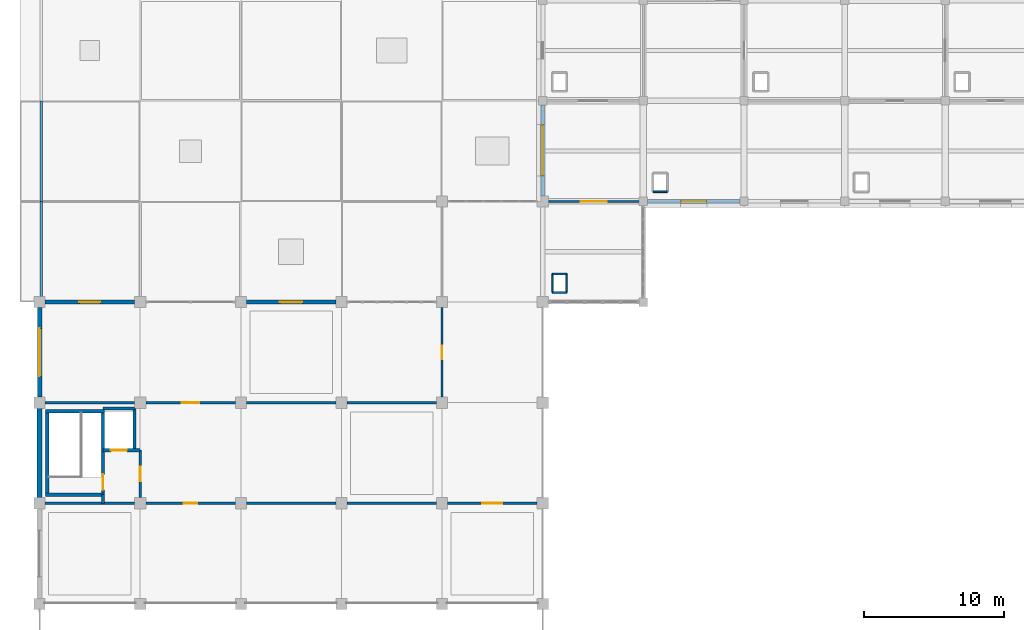
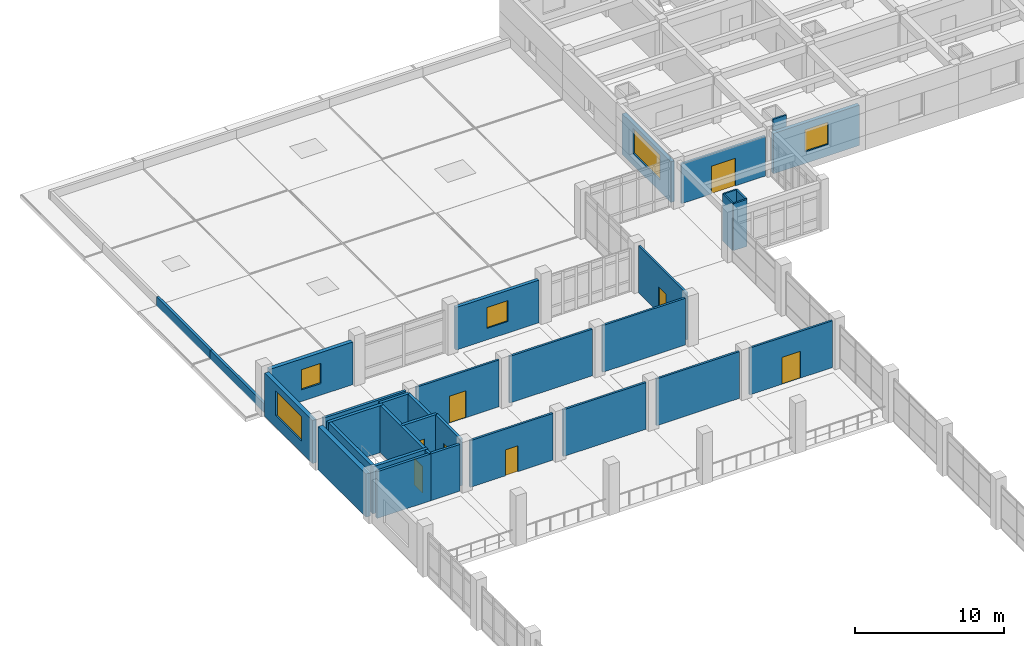
# One storey, part 51 of 62: 34 walls, 8 doors, 5 windows, 13 openings.
"""IFC4 building model written with IfcOpenShell, lengths in metres."""

from ifc_helpers import new_model, si_unit, direction, frame, frame_2d, origin, place, context, subcontext, project, spatial, rectangle, extrude, material, layer, layer_set, type_object, element, fill, save


model = new_model("IFC4")

# Units and contexts
model_context = context("Model", 3, precision=1e-05, world=origin(), true_north=direction((0.0, 1.0)))
body_context = subcontext(model_context, "Body", "Model", "MODEL_VIEW")
ifc_project = project(units=[si_unit("LENGTHUNIT", "METRE"), si_unit("AREAUNIT", "SQUARE_METRE"), si_unit("VOLUMEUNIT", "CUBIC_METRE"), si_unit("PLANEANGLEUNIT", "RADIAN"), si_unit("MASSUNIT", "GRAM", prefix="KILO")], contexts=[model_context])

# Site, building, storey
site_placement = place(None, origin())
site = spatial("IfcSite", under=ifc_project, at=site_placement, CompositionType="ELEMENT")
building_placement = place(site_placement, origin())
building = spatial("IfcBuilding", under=site, at=building_placement, Name="Kavelor Marine Aquarium", CompositionType="ELEMENT")
storey_placement = place(building_placement, frame((0.0, 0.0, 13.5)))
storey = spatial("IfcBuildingStorey", under=building, at=storey_placement, Name="L03", CompositionType="ELEMENT", Elevation=13.5)

# Wall
ifc_material_1 = material(Name="Concrete C45/55", Category="concrete")
ifc_layer_1 = layer(ifc_material_1, 0.360107421875)
ifc_layer_set_1 = layer_set([ifc_layer_1], Name="WL-EX1")
wall_type_1 = type_object("IfcWallType", Name="WL-EX1", PredefinedType="STANDARD", material=ifc_layer_set_1)
wall_1_placement = place(storey_placement, frame((3.199951171875, 67.9951171875, 0.0), z_axis=(0.0, 0.0, 1.0), x_axis=(0.0, 1.0, 0.0)))
element("IfcWall", 1, at=wall_1_placement, inside=storey, type_object=wall_type_1, Name="ew:y:L03:00_09", PredefinedType="STANDARD", context=body_context, shape_type="SweptSolid", body=[
    extrude(rectangle(XDim=6.409912109375, YDim=0.360107421875, at=frame_2d((3.205078125, 0.0))), origin(), (0.0, 0.0, 1.0), 3.530029296875),
])

# Wall, opening, window
ifc_material_2 = material(Name="Concrete C45/55", Category="concrete")
ifc_layer_2 = layer(ifc_material_2, 0.320068359375)
ifc_layer_set_2 = layer_set([ifc_layer_2], Name="WL-EX2")
wall_type_2 = type_object("IfcWallType", Name="WL-EX2", PredefinedType="STANDARD", material=ifc_layer_set_2)
wall_2_placement = place(storey_placement, frame((3.199951171875, 75.195068359375, 0.0), z_axis=(0.0, 0.0, 1.0), x_axis=(0.0, 1.0, 0.0)))
wall_2 = element("IfcWall", 2, at=wall_2_placement, inside=storey, type_object=wall_type_2, Name="ew:y:L03:00_10", PredefinedType="STANDARD", context=body_context, shape_type="SweptSolid", body=[
    extrude(rectangle(XDim=6.409912109375, YDim=0.320068359375, at=frame_2d((3.205078125, 0.0))), origin(), (0.0, 0.0, 1.0), 3.530029296875),
])
opening_1_placement = place(wall_2_placement, frame((1.47998046875, 0.0, 0.949951171875)))
opening_1 = element("IfcOpeningElement", 3, at=opening_1_placement, cuts=wall_2, Name="Opening W23", PredefinedType="OPENING", context=body_context, shape_type="SweptSolid", body=[
    extrude(rectangle(XDim=3.449951171875, YDim=2.0, at=frame_2d((1.72509765625, 1.0))), frame((0.0, 0.169921875, 0.0), z_axis=(0.0, -1.0, 0.0), x_axis=(1.0, 0.0, 0.0)), (0.0, 0.0, 1.0), 0.340068),
])
ifc_material_3 = material(Name="Anodised Aluminium Frame with Low-E Double Glazing", Category="aluminium")
window_type_1 = type_object("IfcWindowType", Name="WIN-W23", PartitioningType="DOUBLE_PANEL_VERTICAL", PredefinedType="WINDOW", material=ifc_material_3)
window_1_placement = place(opening_1_placement, origin())
window_1 = element("IfcWindow", 4, at=window_1_placement, inside=storey, type_object=window_type_1, Name="win:y:L03:00_10", OverallHeight=2.0, OverallWidth=3.449951171875, PartitioningType="SINGLE_PANEL", PredefinedType="WINDOW", context=body_context, shape_type="SweptSolid", body=[
    extrude(rectangle(XDim=3.449951171875, YDim=2.0, at=frame_2d((1.72509765625, 1.0))), frame((0.0, 0.030029296875, 0.0), z_axis=(0.0, -1.0, 0.0), x_axis=(1.0, 0.0, 0.0)), (0.0, 0.0, 1.0), 0.06005859375),
])
fill(opening_1, window_1)

ifc_material_4 = material(Name="Concrete C40/50", Category="concrete")
ifc_layer_3 = layer(ifc_material_4, 0.300048828125)
ifc_layer_set_3 = layer_set([ifc_layer_3], Name="WL-EX3")
wall_type_3 = type_object("IfcWallType", Name="WL-EX3", PredefinedType="STANDARD", material=ifc_layer_set_3)
wall_3_placement = place(storey_placement, frame((3.594970703125, 82.0, 0.0), z_axis=(0.0, 0.0, 1.0), x_axis=(1.0, 0.0, 0.0)))
wall_3 = element("IfcWall", 5, at=wall_3_placement, inside=storey, type_object=wall_type_3, Name="ew:x:L03:00_11", PredefinedType="STANDARD", context=body_context, shape_type="SweptSolid", body=[
    extrude(rectangle(XDim=6.409912109375, YDim=0.300048828125, at=frame_2d((3.205078125, 0.0))), origin(), (0.0, 0.0, 1.0), 3.47998046875),
])
opening_2_placement = place(wall_3_placement, frame((2.455078125, 0.0, 0.949951171875)))
opening_2 = element("IfcOpeningElement", 6, at=opening_2_placement, cuts=wall_3, Name="Opening W05", PredefinedType="OPENING", context=body_context, shape_type="SweptSolid", body=[
    extrude(rectangle(XDim=1.5, YDim=1.64990234375, at=frame_2d((0.75, 0.824951171875))), frame((0.0, 0.159912109375, 0.0), z_axis=(0.0, -1.0, 0.0), x_axis=(1.0, 0.0, 0.0)), (0.0, 0.0, 1.0), 0.320049),
])
ifc_material_5 = material(Name="Anodised Aluminium Frame with Low-E Double Glazing", Category="aluminium")
window_type_2 = type_object("IfcWindowType", Name="WIN-W05", PartitioningType="SINGLE_PANEL", PredefinedType="WINDOW", material=ifc_material_5)
window_2_placement = place(opening_2_placement, origin())
window_2 = element("IfcWindow", 7, at=window_2_placement, inside=storey, type_object=window_type_2, Name="win:x:L03:00_11", OverallHeight=1.64990234375, OverallWidth=1.5, PartitioningType="SINGLE_PANEL", PredefinedType="WINDOW", context=body_context, shape_type="SweptSolid", body=[
    extrude(rectangle(XDim=1.5, YDim=1.64990234375, at=frame_2d((0.75, 0.824951171875))), frame((0.0, 0.030029296875, 0.0), z_axis=(0.0, -1.0, 0.0), x_axis=(1.0, 0.0, 0.0)), (0.0, 0.0, 1.0), 0.06005859375),
])
fill(opening_2, window_2)

wall_4_placement = place(storey_placement, frame((39.199951171875, 89.594970703125, 0.0), z_axis=(0.0, 0.0, 1.0), x_axis=(0.0, 1.0, 0.0)))
wall_4 = element("IfcWall", 8, at=wall_4_placement, inside=storey, type_object=wall_type_3, Name="ew:y:L03:05_12", PredefinedType="STANDARD", context=body_context, shape_type="SweptSolid", body=[
    extrude(rectangle(XDim=6.510009765625, YDim=0.300048828125, at=frame_2d((3.2548828125, 0.0))), origin(), (0.0, 0.0, 1.0), 3.320068359375),
])
opening_3_placement = place(wall_4_placement, frame((1.455078125, 0.0, 0.949951171875)))
opening_3 = element("IfcOpeningElement", 9, at=opening_3_placement, cuts=wall_4, Name="Opening W24", PredefinedType="OPENING", context=body_context, shape_type="SweptSolid", body=[
    extrude(rectangle(XDim=3.60009765625, YDim=2.050048828125, at=frame_2d((1.800048828125, 1.02490234375))), frame((0.0, 0.159912109375, 0.0), z_axis=(0.0, -1.0, 0.0), x_axis=(1.0, 0.0, 0.0)), (0.0, 0.0, 1.0), 0.320049),
])
ifc_material_6 = material(Name="Anodised Aluminium Frame with Low-E Double Glazing", Category="aluminium")
window_type_3 = type_object("IfcWindowType", Name="WIN-W24", PartitioningType="DOUBLE_PANEL_VERTICAL", PredefinedType="WINDOW", material=ifc_material_6)
window_3_placement = place(opening_3_placement, origin())
window_3 = element("IfcWindow", 10, at=window_3_placement, inside=storey, type_object=window_type_3, Name="win:y:L03:05_12", OverallHeight=2.050048828125, OverallWidth=3.60009765625, PartitioningType="SINGLE_PANEL", PredefinedType="WINDOW", context=body_context, shape_type="SweptSolid", body=[
    extrude(rectangle(XDim=3.60009765625, YDim=2.050048828125, at=frame_2d((1.800048828125, 1.02490234375))), frame((0.0, 0.030029296875, 0.0), z_axis=(0.0, -1.0, 0.0), x_axis=(1.0, 0.0, 0.0)), (0.0, 0.0, 1.0), 0.06005859375),
])
fill(opening_3, window_3)

ifc_material_7 = material(Name="Concrete C40/50", Category="concrete")
ifc_layer_4 = layer(ifc_material_7, 0.280029296875)
ifc_layer_set_4 = layer_set([ifc_layer_4], Name="WL-EX4")
wall_type_4 = type_object("IfcWallType", Name="WL-EX4", PredefinedType="STANDARD", material=ifc_layer_set_4)
wall_5_placement = place(storey_placement, frame((53.304931640625, 89.199951171875, 0.0), z_axis=(0.0, 0.0, 1.0), x_axis=(-1.0, 0.0, 0.0)))
wall_5 = element("IfcWall", 11, at=wall_5_placement, inside=storey, type_object=wall_type_4, Name="ew:x:L03:06_12", PredefinedType="STANDARD", context=body_context, shape_type="SweptSolid", body=[
    extrude(rectangle(XDim=6.60986328125, YDim=0.280029296875, at=frame_2d((3.304931640625, 0.0))), origin(), (0.0, 0.0, 1.0), 3.300048828125),
])
opening_4_placement = place(wall_5_placement, frame((2.405029296875, 0.0, 0.949951171875)))
opening_4 = element("IfcOpeningElement", 12, at=opening_4_placement, cuts=wall_5, Name="Opening W08", PredefinedType="OPENING", context=body_context, shape_type="SweptSolid", body=[
    extrude(rectangle(XDim=1.800048828125, YDim=1.800048828125, at=frame_2d((0.89990234375, 0.89990234375))), frame((0.0, 0.14990234375, 0.0), z_axis=(0.0, -1.0, 0.0), x_axis=(1.0, 0.0, 0.0)), (0.0, 0.0, 1.0), 0.300029),
])
ifc_material_8 = material(Name="Anodised Aluminium Frame with Low-E Double Glazing", Category="aluminium")
window_type_4 = type_object("IfcWindowType", Name="WIN-W08", PartitioningType="DOUBLE_PANEL_VERTICAL", PredefinedType="WINDOW", material=ifc_material_8)
window_4_placement = place(opening_4_placement, origin())
window_4 = element("IfcWindow", 13, at=window_4_placement, inside=storey, type_object=window_type_4, Name="win:x:L03:06_12", OverallHeight=1.800048828125, OverallWidth=1.800048828125, PartitioningType="SINGLE_PANEL", PredefinedType="WINDOW", context=body_context, shape_type="SweptSolid", body=[
    extrude(rectangle(XDim=1.800048828125, YDim=1.800048828125, at=frame_2d((0.89990234375, 0.89990234375))), frame((0.0, 0.030029296875, 0.0), z_axis=(0.0, -1.0, 0.0), x_axis=(1.0, 0.0, 0.0)), (0.0, 0.0, 1.0), 0.06005859375),
])
fill(opening_4, window_4)

ifc_material_9 = material(Name="Concrete C40/50", Category="concrete")
ifc_layer_5 = layer(ifc_material_9, 0.260009765625)
ifc_layer_set_5 = layer_set([ifc_layer_5], Name="WL-EX5")
wall_type_5 = type_object("IfcWallType", Name="WL-EX5", PredefinedType="STANDARD", material=ifc_layer_set_5)
wall_6_placement = place(storey_placement, frame((17.9951171875, 82.0, 0.0), z_axis=(0.0, 0.0, 1.0), x_axis=(1.0, 0.0, 0.0)))
wall_6 = element("IfcWall", 14, at=wall_6_placement, inside=storey, type_object=wall_type_5, Name="ew:x:L03:02_11", PredefinedType="STANDARD", context=body_context, shape_type="SweptSolid", body=[
    extrude(rectangle(XDim=6.409912109375, YDim=0.260009765625, at=frame_2d((3.205078125, 0.0))), origin(), (0.0, 0.0, 1.0), 3.47998046875),
])
opening_5_placement = place(wall_6_placement, frame((2.405029296875, 0.0, 0.949951171875)))
opening_5 = element("IfcOpeningElement", 15, at=opening_5_placement, cuts=wall_6, Name="Opening W06", PredefinedType="OPENING", context=body_context, shape_type="SweptSolid", body=[
    extrude(rectangle(XDim=1.60009765625, YDim=1.699951171875, at=frame_2d((0.800048828125, 0.85009765625))), frame((0.0, 0.139892578125, 0.0), z_axis=(0.0, -1.0, 0.0), x_axis=(1.0, 0.0, 0.0)), (0.0, 0.0, 1.0), 0.28001),
])
ifc_material_10 = material(Name="Anodised Aluminium Frame with Low-E Double Glazing", Category="aluminium")
window_type_5 = type_object("IfcWindowType", Name="WIN-W06", PartitioningType="SINGLE_PANEL", PredefinedType="WINDOW", material=ifc_material_10)
window_5_placement = place(opening_5_placement, origin())
window_5 = element("IfcWindow", 16, at=window_5_placement, inside=storey, type_object=window_type_5, Name="win:x:L03:02_11", OverallHeight=1.699951171875, OverallWidth=1.60009765625, PartitioningType="SINGLE_PANEL", PredefinedType="WINDOW", context=body_context, shape_type="SweptSolid", body=[
    extrude(rectangle(XDim=1.60009765625, YDim=1.699951171875, at=frame_2d((0.800048828125, 0.85009765625))), frame((0.0, 0.030029296875, 0.0), z_axis=(0.0, -1.0, 0.0), x_axis=(1.0, 0.0, 0.0)), (0.0, 0.0, 1.0), 0.06005859375),
])
fill(opening_5, window_5)

# Walls
ifc_material_11 = material(Name="Concrete C40/50", Category="concrete")
ifc_layer_6 = layer(ifc_material_11, 0.199951171875)
ifc_layer_set_6 = layer_set([ifc_layer_6], Name="WL-PR3")
wall_type_6 = type_object("IfcWallType", Name="WL-PR3", PredefinedType="PARAPET", material=ifc_layer_set_6)
for number, where, z_axis, x_axis, name in (
    (17, (3.320068359375, 82.0, 0.0), (0.0, 0.0, 1.0), (0.0, 1.0, 0.0), "par:w:L03:00_11"),
    (18, (3.320068359375, 89.199951171875, 0.0), (0.0, 0.0, 1.0), (0.0, 1.0, 0.0), "par:w:L03:00_12"),
):
    element("IfcWall", number, at=place(storey_placement, frame(where, z_axis=z_axis, x_axis=x_axis)), inside=storey, type_object=wall_type_6, Name=name, PredefinedType="PARAPET", context=body_context, shape_type="SweptSolid", body=[
        extrude(rectangle(XDim=7.199951171875, YDim=0.199951171875, at=frame_2d((3.60009765625, 0.0))), origin(), (0.0, 0.0, 1.0), 0.719970703125),
    ])
ifc_material_12 = material(Name="Concrete Blockwork Partition", Category="masonry")
ifc_layer_7 = layer(ifc_material_12, 0.199951171875)
ifc_layer_set_7 = layer_set([ifc_layer_7], Name="WL-PT1")
wall_type_7 = type_object("IfcWallType", Name="WL-PT1", PredefinedType="PARTITIONING", material=ifc_layer_set_7)
wall_7_placement = place(storey_placement, frame((7.739990234375, 67.60009765625, 0.0), z_axis=(0.0, 0.0, 1.0), x_axis=(0.0, 1.0, 0.0)))
element("IfcWall", 19, at=wall_7_placement, inside=storey, type_object=wall_type_7, Name="pt:st_close:s:C03:L03", PredefinedType="PARTITIONING", context=body_context, shape_type="SweptSolid", body=[
    extrude(rectangle(XDim=0.619873046875, YDim=0.199951171875, at=frame_2d((0.31005859375, 0.0))), origin(), (0.0, 0.0, 1.0), 3.820068359375),
])

# Wall, opening, door
wall_8_placement = place(storey_placement, frame((10.39990234375, 68.0, 0.0), z_axis=(0.0, 0.0, 1.0), x_axis=(0.0, 1.0, 0.0)))
wall_8 = element("IfcWall", 20, at=wall_8_placement, inside=storey, type_object=wall_type_7, Name="pt:lob:C03:L03:e", PredefinedType="PARTITIONING", context=body_context, shape_type="SweptSolid", body=[
    extrude(rectangle(XDim=3.39990234375, YDim=0.199951171875, at=frame_2d((1.699951171875, 0.0))), origin(), (0.0, 0.0, 1.0), 3.820068359375),
])
opening_6_placement = place(wall_8_placement, frame((1.18994140625, 0.0, 0.0)))
opening_6 = element("IfcOpeningElement", 21, at=opening_6_placement, cuts=wall_8, Name="Opening SD1", PredefinedType="OPENING", context=body_context, shape_type="SweptSolid", body=[
    extrude(rectangle(XDim=1.02001953125, YDim=2.14990234375, at=frame_2d((0.510009765625, 1.074951171875))), frame((0.0, 0.10986328125, 0.0), z_axis=(0.0, -1.0, 0.0), x_axis=(1.0, 0.0, 0.0)), (0.0, 0.0, 1.0), 0.219951),
])
ifc_material_13 = material(Name="Fire-Rated Corridor Compartment Door")
door_type_1 = type_object("IfcDoorType", Name="DR-SD1", OperationType="NOTDEFINED", PredefinedType="DOOR", material=ifc_material_13)
door_1_placement = place(opening_6_placement, origin())
door_1 = element("IfcDoor", 22, at=door_1_placement, inside=storey, type_object=door_type_1, Name="Core Lobby Fire Door C03-L03", OperationType="SINGLE_SWING_RIGHT", OverallHeight=2.14990234375, OverallWidth=1.02001953125, PredefinedType="DOOR", context=body_context, shape_type="SweptSolid", body=[
    extrude(rectangle(XDim=1.02001953125, YDim=2.14990234375, at=frame_2d((0.510009765625, 1.074951171875))), frame((0.0, 0.02490234375, 0.0), z_axis=(0.0, -1.0, 0.0), x_axis=(1.0, 0.0, 0.0)), (0.0, 0.0, 1.0), 0.050048828125),
])
fill(opening_6, door_1)

# Walls
wall_9_placement = place(storey_placement, frame((3.60009765625, 67.60009765625, 0.0), z_axis=(0.0, 0.0, 1.0), x_axis=(1.0, 0.0, 0.0)))
element("IfcWall", 23, at=wall_9_placement, inside=storey, type_object=wall_type_7, Name="pt:lob:C03:L03:s_st", PredefinedType="PARTITIONING", context=body_context, shape_type="SweptSolid", body=[
    extrude(rectangle(XDim=4.139892578125, YDim=0.199951171875, at=frame_2d((2.06982421875, 0.0))), origin(), (0.0, 0.0, 1.0), 3.820068359375),
])
wall_10_placement = place(storey_placement, frame((7.739990234375, 67.60009765625, 0.0), z_axis=(0.0, 0.0, 1.0), x_axis=(1.0, 0.0, 0.0)))
element("IfcWall", 24, at=wall_10_placement, inside=storey, type_object=wall_type_7, Name="pt:lob:C03:L03:s", PredefinedType="PARTITIONING", context=body_context, shape_type="SweptSolid", body=[
    extrude(rectangle(XDim=2.260009765625, YDim=0.199951171875, at=frame_2d((1.1298828125, 0.0))), origin(), (0.0, 0.0, 1.0), 3.820068359375),
])
wall_11_placement = place(storey_placement, frame((3.60009765625, 74.800048828125, 0.0), z_axis=(0.0, 0.0, 1.0), x_axis=(1.0, 0.0, 0.0)))
element("IfcWall", 25, at=wall_11_placement, inside=storey, type_object=wall_type_7, Name="pt:lob:C03:L03:n_full", PredefinedType="PARTITIONING", context=body_context, shape_type="SweptSolid", body=[
    extrude(rectangle(XDim=6.39990234375, YDim=0.199951171875, at=frame_2d((3.199951171875, 0.0))), origin(), (0.0, 0.0, 1.0), 3.820068359375),
])

# Wall, opening, door
ifc_material_14 = material(Name="Acoustic Gypsum Stud Partition")
ifc_layer_8 = layer(ifc_material_14, 0.159912109375)
ifc_layer_set_8 = layer_set([ifc_layer_8], Name="WL-PT2")
wall_type_8 = type_object("IfcWallType", Name="WL-PT2", PredefinedType="PARTITIONING", material=ifc_layer_set_8)
wall_12_placement = place(storey_placement, frame((10.800048828125, 67.60009765625, 0.0), z_axis=(0.0, 0.0, 1.0), x_axis=(1.0, 0.0, 0.0)))
wall_12 = element("IfcWall", 26, at=wall_12_placement, inside=storey, type_object=wall_type_8, Name="pt:x:L03:01_08", PredefinedType="PARTITIONING", context=body_context, shape_type="SweptSolid", body=[
    extrude(rectangle(XDim=6.39990234375, YDim=0.159912109375, at=frame_2d((3.199951171875, 0.0))), origin(), (0.0, 0.0, 1.0), 3.820068359375),
])
opening_7_placement = place(wall_12_placement, frame((2.7099609375, 0.0, 0.0)))
opening_7 = element("IfcOpeningElement", 27, at=opening_7_placement, cuts=wall_12, Name="Opening D07", PredefinedType="OPENING", context=body_context, shape_type="SweptSolid", body=[
    extrude(rectangle(XDim=0.97998046875, YDim=2.1201171875, at=frame_2d((0.489990234375, 1.06005859375))), frame((0.0, 0.08984375, 0.0), z_axis=(0.0, -1.0, 0.0), x_axis=(1.0, 0.0, 0.0)), (0.0, 0.0, 1.0), 0.179912),
])
ifc_material_15 = material(Name="Research Write-Up Timber Door", Category="wood")
door_type_2 = type_object("IfcDoorType", Name="DR-D07", OperationType="NOTDEFINED", PredefinedType="DOOR", material=ifc_material_15)
door_2_placement = place(opening_7_placement, origin())
door_2 = element("IfcDoor", 28, at=door_2_placement, inside=storey, type_object=door_type_2, Name="dr:rm:pt:x:L03:01_08:0", OperationType="SINGLE_SWING_LEFT", OverallHeight=2.1201171875, OverallWidth=0.97998046875, PredefinedType="DOOR", context=body_context, shape_type="SweptSolid", body=[
    extrude(rectangle(XDim=0.97998046875, YDim=2.1201171875, at=frame_2d((0.489990234375, 1.06005859375))), frame((0.0, 0.02490234375, 0.0), z_axis=(0.0, -1.0, 0.0), x_axis=(1.0, 0.0, 0.0)), (0.0, 0.0, 1.0), 0.050048828125),
])
fill(opening_7, door_2)

wall_13_placement = place(storey_placement, frame((10.800048828125, 74.800048828125, 0.0), z_axis=(0.0, 0.0, 1.0), x_axis=(1.0, 0.0, 0.0)))
wall_13 = element("IfcWall", 29, at=wall_13_placement, inside=storey, type_object=wall_type_8, Name="pt:x:L03:01_09", PredefinedType="PARTITIONING", context=body_context, shape_type="SweptSolid", body=[
    extrude(rectangle(XDim=6.39990234375, YDim=0.159912109375, at=frame_2d((3.199951171875, 0.0))), origin(), (0.0, 0.0, 1.0), 3.820068359375),
])
opening_8_placement = place(wall_13_placement, frame((2.56005859375, 0.0, 0.0)))
opening_8 = element("IfcOpeningElement", 30, at=opening_8_placement, cuts=wall_13, Name="Opening D10", PredefinedType="OPENING", context=body_context, shape_type="SweptSolid", body=[
    extrude(rectangle(XDim=1.280029296875, YDim=2.199951171875, at=frame_2d((0.64013671875, 1.10009765625))), frame((0.0, 0.08984375, 0.0), z_axis=(0.0, -1.0, 0.0), x_axis=(1.0, 0.0, 0.0)), (0.0, 0.0, 1.0), 0.179912),
])
ifc_material_16 = material(Name="Equipment Store Wide Leaf Door")
door_type_3 = type_object("IfcDoorType", Name="DR-D10", OperationType="NOTDEFINED", PredefinedType="DOOR", material=ifc_material_16)
door_3_placement = place(opening_8_placement, origin())
door_3 = element("IfcDoor", 31, at=door_3_placement, inside=storey, type_object=door_type_3, Name="dr:rm:pt:x:L03:01_09:0", OperationType="SINGLE_SWING_RIGHT", OverallHeight=2.199951171875, OverallWidth=1.280029296875, PredefinedType="DOOR", context=body_context, shape_type="SweptSolid", body=[
    extrude(rectangle(XDim=1.280029296875, YDim=2.199951171875, at=frame_2d((0.64013671875, 1.10009765625))), frame((0.0, 0.02490234375, 0.0), z_axis=(0.0, -1.0, 0.0), x_axis=(1.0, 0.0, 0.0)), (0.0, 0.0, 1.0), 0.050048828125),
])
fill(opening_8, door_3)

# Walls
for number, where, z_axis, x_axis, name in (
    (32, (18.0, 67.60009765625, 0.0), (0.0, 0.0, 1.0), (1.0, 0.0, 0.0), "pt:x:L03:02_08"),
    (33, (18.0, 74.800048828125, 0.0), (0.0, 0.0, 1.0), (1.0, 0.0, 0.0), "pt:x:L03:02_09"),
):
    element("IfcWall", number, at=place(storey_placement, frame(where, z_axis=z_axis, x_axis=x_axis)), inside=storey, type_object=wall_type_8, Name=name, PredefinedType="PARTITIONING", context=body_context, shape_type="SweptSolid", body=[
        extrude(rectangle(XDim=6.39990234375, YDim=0.159912109375, at=frame_2d((3.199951171875, 0.0))), origin(), (0.0, 0.0, 1.0), 3.820068359375),
    ])
for number, where, z_axis, x_axis, name in (
    (34, (25.199951171875, 67.60009765625, 0.0), (0.0, 0.0, 1.0), (1.0, 0.0, 0.0), "pt:x:L03:03_08"),
    (35, (25.199951171875, 74.800048828125, 0.0), (0.0, 0.0, 1.0), (1.0, 0.0, 0.0), "pt:x:L03:03_09"),
):
    element("IfcWall", number, at=place(storey_placement, frame(where, z_axis=z_axis, x_axis=x_axis)), inside=storey, type_object=wall_type_8, Name=name, PredefinedType="PARTITIONING", context=body_context, shape_type="SweptSolid", body=[
        extrude(rectangle(XDim=6.400146484375, YDim=0.159912109375, at=frame_2d((3.2001953125, 0.0))), origin(), (0.0, 0.0, 1.0), 3.820068359375),
    ])

# Wall, opening, door
wall_14_placement = place(storey_placement, frame((32.0, 75.199951171875, 0.0), z_axis=(0.0, 0.0, 1.0), x_axis=(0.0, 1.0, 0.0)))
wall_14 = element("IfcWall", 36, at=wall_14_placement, inside=storey, type_object=wall_type_8, Name="pt:y:L03:03_10", PredefinedType="PARTITIONING", context=body_context, shape_type="SweptSolid", body=[
    extrude(rectangle(XDim=6.400146484375, YDim=0.159912109375, at=frame_2d((3.2001953125, 0.0))), origin(), (0.0, 0.0, 1.0), 3.820068359375),
])
opening_9_placement = place(wall_14_placement, frame((2.7099609375, 0.0, 0.0)))
opening_9 = element("IfcOpeningElement", 37, at=opening_9_placement, cuts=wall_14, Name="Opening D07", PredefinedType="OPENING", context=body_context, shape_type="SweptSolid", body=[
    extrude(rectangle(XDim=0.97998046875, YDim=2.1201171875, at=frame_2d((0.489990234375, 1.06005859375))), frame((0.0, 0.08984375, 0.0), z_axis=(0.0, -1.0, 0.0), x_axis=(1.0, 0.0, 0.0)), (0.0, 0.0, 1.0), 0.179912),
])
door_4_placement = place(opening_9_placement, origin())
door_4 = element("IfcDoor", 38, at=door_4_placement, inside=storey, type_object=door_type_2, Name="dr:rm:pt:y:L03:03_10:1", OperationType="SINGLE_SWING_LEFT", OverallHeight=2.1201171875, OverallWidth=0.97998046875, PredefinedType="DOOR", context=body_context, shape_type="SweptSolid", body=[
    extrude(rectangle(XDim=0.97998046875, YDim=2.1201171875, at=frame_2d((0.489990234375, 1.06005859375))), frame((0.0, 0.02490234375, 0.0), z_axis=(0.0, -1.0, 0.0), x_axis=(1.0, 0.0, 0.0)), (0.0, 0.0, 1.0), 0.050048828125),
])
fill(opening_9, door_4)

wall_15_placement = place(storey_placement, frame((32.39990234375, 67.60009765625, 0.0), z_axis=(0.0, 0.0, 1.0), x_axis=(1.0, 0.0, 0.0)))
wall_15 = element("IfcWall", 39, at=wall_15_placement, inside=storey, type_object=wall_type_8, Name="pt:x:L03:04_08", PredefinedType="PARTITIONING", context=body_context, shape_type="SweptSolid", body=[
    extrude(rectangle(XDim=6.400146484375, YDim=0.159912109375, at=frame_2d((3.2001953125, 0.0))), origin(), (0.0, 0.0, 1.0), 3.820068359375),
])
opening_10_placement = place(wall_15_placement, frame((2.47998046875, 0.0, 0.0)))
opening_10 = element("IfcOpeningElement", 40, at=opening_10_placement, cuts=wall_15, Name="Opening D11", PredefinedType="OPENING", context=body_context, shape_type="SweptSolid", body=[
    extrude(rectangle(XDim=1.43994140625, YDim=2.199951171875, at=frame_2d((0.719970703125, 1.10009765625))), frame((0.0, 0.08984375, 0.0), z_axis=(0.0, -1.0, 0.0), x_axis=(1.0, 0.0, 0.0)), (0.0, 0.0, 1.0), 0.179912),
])
ifc_material_17 = material(Name="Seminar Studio Double Door")
door_type_4 = type_object("IfcDoorType", Name="DR-D11", OperationType="NOTDEFINED", PredefinedType="DOOR", material=ifc_material_17)
door_5_placement = place(opening_10_placement, origin())
door_5 = element("IfcDoor", 41, at=door_5_placement, inside=storey, type_object=door_type_4, Name="dr:rm:pt:x:L03:04_08:1", OperationType="DOUBLE_DOOR_SINGLE_SWING", OverallHeight=2.199951171875, OverallWidth=1.43994140625, PredefinedType="DOOR", context=body_context, shape_type="SweptSolid", body=[
    extrude(rectangle(XDim=1.43994140625, YDim=2.199951171875, at=frame_2d((0.719970703125, 1.10009765625))), frame((0.0, 0.02490234375, 0.0), z_axis=(0.0, -1.0, 0.0), x_axis=(1.0, 0.0, 0.0)), (0.0, 0.0, 1.0), 0.050048828125),
])
fill(opening_10, door_5)

wall_16_placement = place(storey_placement, frame((39.60009765625, 89.199951171875, 0.0), z_axis=(0.0, 0.0, 1.0), x_axis=(1.0, 0.0, 0.0)))
wall_16 = element("IfcWall", 42, at=wall_16_placement, inside=storey, type_object=wall_type_8, Name="pt:x:L03:05_11", PredefinedType="PARTITIONING", context=body_context, shape_type="SweptSolid", body=[
    extrude(rectangle(XDim=6.5, YDim=0.159912109375, at=frame_2d((3.25, 0.0))), origin(), (0.0, 0.0, 1.0), 3.25),
])
opening_11_placement = place(wall_16_placement, frame((2.320068359375, 0.0, 0.0)))
opening_11 = element("IfcOpeningElement", 43, at=opening_11_placement, cuts=wall_16, Name="Opening D13", PredefinedType="OPENING", context=body_context, shape_type="SweptSolid", body=[
    extrude(rectangle(XDim=1.860107421875, YDim=2.260009765625, at=frame_2d((0.93017578125, 1.1298828125))), frame((0.0, 0.08984375, 0.0), z_axis=(0.0, -1.0, 0.0), x_axis=(1.0, 0.0, 0.0)), (0.0, 0.0, 1.0), 0.179912),
])
ifc_material_18 = material(Name="Main Foyer Exhibition Double Door")
door_type_5 = type_object("IfcDoorType", Name="DR-D13", OperationType="NOTDEFINED", PredefinedType="DOOR", material=ifc_material_18)
door_6_placement = place(opening_11_placement, origin())
door_6 = element("IfcDoor", 44, at=door_6_placement, inside=storey, type_object=door_type_5, Name="dr:rm:pt:x:L03:05_11:0", OperationType="DOUBLE_DOOR_SINGLE_SWING", OverallHeight=2.260009765625, OverallWidth=1.860107421875, PredefinedType="DOOR", context=body_context, shape_type="SweptSolid", body=[
    extrude(rectangle(XDim=1.860107421875, YDim=2.260009765625, at=frame_2d((0.93017578125, 1.1298828125))), frame((0.0, 0.02490234375, 0.0), z_axis=(0.0, -1.0, 0.0), x_axis=(1.0, 0.0, 0.0)), (0.0, 0.0, 1.0), 0.050048828125),
])
fill(opening_11, door_6)

# Walls
ifc_material_19 = material(Name="Lightweight Drywall Partition")
ifc_layer_9 = layer(ifc_material_19, 0.1201171875)
ifc_layer_set_9 = layer_set([ifc_layer_9], Name="WL-PT4")
wall_type_9 = type_object("IfcWallType", Name="WL-PT4", PredefinedType="PARTITIONING", material=ifc_layer_set_9)
for number, where, z_axis, x_axis, name in (
    (45, (39.889892578125, 82.68994140625, 0.0), (0.0, 0.0, 1.0), (1.0, 0.0, 0.0), "riser:s:L03:05_11"),
    (46, (39.889892578125, 84.010009765625, 0.0), (0.0, 0.0, 1.0), (1.0, 0.0, 0.0), "riser:n:L03:05_11"),
):
    element("IfcWall", number, at=place(storey_placement, frame(where, z_axis=z_axis, x_axis=x_axis)), inside=storey, type_object=wall_type_9, Name=name, PredefinedType="PARTITIONING", context=body_context, shape_type="SweptSolid", body=[
        extrude(rectangle(XDim=1.02001953125, YDim=0.1201171875, at=frame_2d((0.510009765625, 0.0))), origin(), (0.0, 0.0, 1.0), 3.840087890625),
    ])
for number, where, z_axis, x_axis, name in (
    (47, (39.889892578125, 82.68994140625, 0.0), (0.0, 0.0, 1.0), (0.0, 1.0, 0.0), "riser:w:L03:05_11"),
    (48, (40.909912109375, 82.68994140625, 0.0), (0.0, 0.0, 1.0), (0.0, 1.0, 0.0), "riser:e:L03:05_11"),
):
    element("IfcWall", number, at=place(storey_placement, frame(where, z_axis=z_axis, x_axis=x_axis)), inside=storey, type_object=wall_type_9, Name=name, PredefinedType="PARTITIONING", context=body_context, shape_type="SweptSolid", body=[
        extrude(rectangle(XDim=1.320068359375, YDim=0.1201171875, at=frame_2d((0.66015625, 0.0))), origin(), (0.0, 0.0, 1.0), 3.840087890625),
    ])
wall_17_placement = place(storey_placement, frame((47.090087890625, 89.889892578125, 0.0), z_axis=(0.0, 0.0, 1.0), x_axis=(1.0, 0.0, 0.0)))
element("IfcWall", 49, at=wall_17_placement, inside=storey, type_object=wall_type_9, Name="riser:s:L03:06_12", PredefinedType="PARTITIONING", context=body_context, shape_type="SweptSolid", body=[
    extrude(rectangle(XDim=1.02001953125, YDim=0.1201171875, at=frame_2d((0.510009765625, 0.0))), origin(), (0.0, 0.0, 1.0), 3.840087890625),
])
ifc_material_20 = material(Name="Concrete C40/50", Category="concrete")
ifc_layer_10 = layer(ifc_material_20, 0.35009765625)
ifc_layer_set_10 = layer_set([ifc_layer_10], Name="WL-SW2")
wall_type_10 = type_object("IfcWallType", Name="WL-SW2", PredefinedType="SHEAR", material=ifc_layer_set_10)
for number, where, z_axis, x_axis, name in (
    (50, (3.6201171875, 68.219970703125, 0.0), (0.0, 0.0, 1.0), (1.0, 0.0, 0.0), "cw_st:s:C03:L03"),
    (51, (3.6201171875, 74.179931640625, 0.0), (0.0, 0.0, 1.0), (1.0, 0.0, 0.0), "cw_st:n:C03:L03"),
):
    element("IfcWall", number, at=place(storey_placement, frame(where, z_axis=z_axis, x_axis=x_axis)), inside=storey, type_object=wall_type_10, Name=name, PredefinedType="SHEAR", context=body_context, shape_type="SweptSolid", body=[
        extrude(rectangle(XDim=4.239990234375, YDim=0.239990234375, at=frame_2d((2.1201171875, 0.0))), origin(), (0.0, 0.0, 1.0), 3.840087890625),
    ])
wall_18_placement = place(storey_placement, frame((3.739990234375, 68.340087890625, 0.0), z_axis=(0.0, 0.0, 1.0), x_axis=(0.0, 1.0, 0.0)))
element("IfcWall", 52, at=wall_18_placement, inside=storey, type_object=wall_type_10, Name="cw_st:w:C03:L03", PredefinedType="SHEAR", context=body_context, shape_type="SweptSolid", body=[
    extrude(rectangle(XDim=5.719970703125, YDim=0.239990234375, at=frame_2d((2.85986328125, 0.0))), origin(), (0.0, 0.0, 1.0), 3.840087890625),
])

# Wall, opening, door
wall_19_placement = place(storey_placement, frame((7.739990234375, 68.340087890625, 0.0), z_axis=(0.0, 0.0, 1.0), x_axis=(0.0, 1.0, 0.0)))
wall_19 = element("IfcWall", 53, at=wall_19_placement, inside=storey, type_object=wall_type_10, Name="cw_st:e:C03:L03", PredefinedType="SHEAR", context=body_context, shape_type="SweptSolid", body=[
    extrude(rectangle(XDim=5.719970703125, YDim=0.239990234375, at=frame_2d((2.85986328125, 0.0))), origin(), (0.0, 0.0, 1.0), 3.840087890625),
])
opening_12_placement = place(wall_19_placement, frame((0.219970703125, 0.0, 0.0)))
opening_12 = element("IfcOpeningElement", 54, at=opening_12_placement, cuts=wall_19, Name="Opening FD1", PredefinedType="OPENING", context=body_context, shape_type="SweptSolid", body=[
    extrude(rectangle(XDim=1.1201171875, YDim=2.14990234375, at=frame_2d((0.56005859375, 1.074951171875))), frame((0.0, 0.1298828125, 0.0), z_axis=(0.0, -1.0, 0.0), x_axis=(1.0, 0.0, 0.0)), (0.0, 0.0, 1.0), 0.25999),
])
ifc_material_21 = material(Name="Fire-Rated Steel Stair and Core Door", Category="steel")
door_type_6 = type_object("IfcDoorType", Name="DR-FD1", OperationType="NOTDEFINED", PredefinedType="DOOR", material=ifc_material_21)
door_7_placement = place(opening_12_placement, origin())
door_7 = element("IfcDoor", 55, at=door_7_placement, inside=storey, type_object=door_type_6, Name="Stair Fire Door ST03-L03", OperationType="SINGLE_SWING_LEFT", OverallHeight=2.14990234375, OverallWidth=1.1201171875, PredefinedType="DOOR", context=body_context, shape_type="SweptSolid", body=[
    extrude(rectangle(XDim=1.1201171875, YDim=2.14990234375, at=frame_2d((0.56005859375, 1.074951171875))), frame((0.0, 0.02490234375, 0.0), z_axis=(0.0, -1.0, 0.0), x_axis=(1.0, 0.0, 0.0)), (0.0, 0.0, 1.0), 0.050048828125),
])
fill(opening_12, door_7)

wall_20_placement = place(storey_placement, frame((7.739990234375, 71.39990234375, 0.0), z_axis=(0.0, 0.0, 1.0), x_axis=(1.0, 0.0, 0.0)))
wall_20 = element("IfcWall", 56, at=wall_20_placement, inside=storey, type_object=wall_type_10, Name="cw_lf:s:C03:L03", PredefinedType="SHEAR", context=body_context, shape_type="SweptSolid", body=[
    extrude(rectangle(XDim=2.659912109375, YDim=0.219970703125, at=frame_2d((1.330078125, 0.0))), origin(), (0.0, 0.0, 1.0), 3.840087890625),
])
opening_13_placement = place(wall_20_placement, frame((0.56005859375, 0.0, 0.0)))
opening_13 = element("IfcOpeningElement", 57, at=opening_13_placement, cuts=wall_20, Name="Opening LD1", PredefinedType="OPENING", context=body_context, shape_type="SweptSolid", body=[
    extrude(rectangle(XDim=1.139892578125, YDim=2.14990234375, at=frame_2d((0.56982421875, 1.074951171875))), frame((0.0, 0.119873046875, 0.0), z_axis=(0.0, -1.0, 0.0), x_axis=(1.0, 0.0, 0.0)), (0.0, 0.0, 1.0), 0.239971),
])
ifc_material_22 = material(Name="Stainless Steel Lift Landing Sliding Door", Category="steel")
door_type_7 = type_object("IfcDoorType", Name="DR-LD1", OperationType="NOTDEFINED", PredefinedType="DOOR", material=ifc_material_22)
door_8_placement = place(opening_13_placement, origin())
door_8 = element("IfcDoor", 58, at=door_8_placement, inside=storey, type_object=door_type_7, Name="Lift Landing Sliding Door EL1-L03", OperationType="SLIDING_TO_LEFT", OverallHeight=2.14990234375, OverallWidth=1.139892578125, PredefinedType="DOOR", context=body_context, shape_type="SweptSolid", body=[
    extrude(rectangle(XDim=1.139892578125, YDim=2.14990234375, at=frame_2d((0.56982421875, 1.074951171875))), frame((0.0, 0.02490234375, 0.0), z_axis=(0.0, -1.0, 0.0), x_axis=(1.0, 0.0, 0.0)), (0.0, 0.0, 1.0), 0.050048828125),
])
fill(opening_13, door_8)

# Walls
wall_21_placement = place(storey_placement, frame((7.739990234375, 74.39990234375, 0.0), z_axis=(0.0, 0.0, 1.0), x_axis=(1.0, 0.0, 0.0)))
element("IfcWall", 59, at=wall_21_placement, inside=storey, type_object=wall_type_10, Name="cw_lf:n:C03:L03", PredefinedType="SHEAR", context=body_context, shape_type="SweptSolid", body=[
    extrude(rectangle(XDim=2.260009765625, YDim=0.219970703125, at=frame_2d((1.1298828125, 0.0))), origin(), (0.0, 0.0, 1.0), 3.840087890625),
])
wall_22_placement = place(storey_placement, frame((10.0, 71.39990234375, 0.0), z_axis=(0.0, 0.0, 1.0), x_axis=(0.0, 1.0, 0.0)))
element("IfcWall", 60, at=wall_22_placement, inside=storey, type_object=wall_type_10, Name="cw_lf:e:C03:L03", PredefinedType="SHEAR", context=body_context, shape_type="SweptSolid", body=[
    extrude(rectangle(XDim=3.0, YDim=0.219970703125, at=frame_2d((1.5, 0.0))), origin(), (0.0, 0.0, 1.0), 3.840087890625),
])

save(model, "model.ifc")
